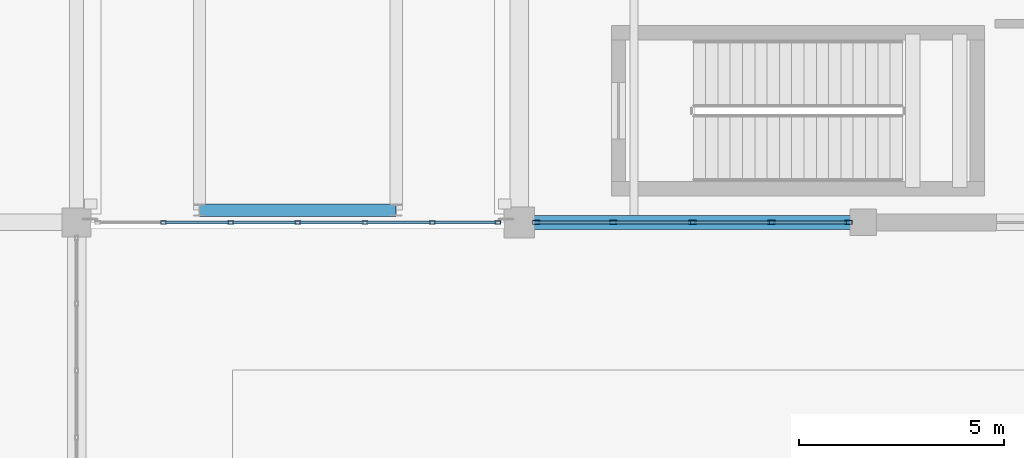
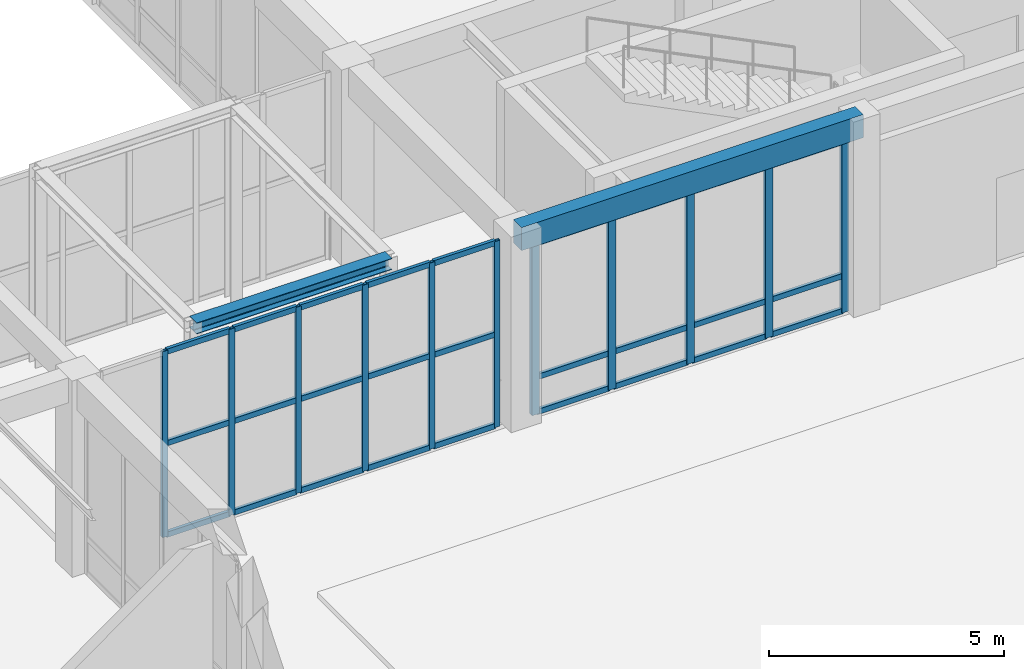
# One storey, part 62 of 169: 38 members, 2 beams, 2 elements without a shape of their own.
"""IFC4 building model written with IfcOpenShell, lengths in metres."""

from ifc_helpers import new_model, si_unit, direction, frame, origin, origin_2d, place, context, subcontext, project, spatial, rectangle, hollow_rectangle, i_section, extrude, material, layer, layer_set, material_profile, profile_set, type_object, element, aggregate, save


model = new_model("IFC4")

# Units and contexts
model_context = context("Model", 3, precision=1e-05, world=origin(), true_north=direction((0.0, 1.0)))
body_context = subcontext(model_context, "Body", "Model", "MODEL_VIEW")
ifc_project = project(units=[si_unit("LENGTHUNIT", "METRE"), si_unit("AREAUNIT", "SQUARE_METRE"), si_unit("VOLUMEUNIT", "CUBIC_METRE"), si_unit("PLANEANGLEUNIT", "RADIAN"), si_unit("MASSUNIT", "GRAM", prefix="KILO")], contexts=[model_context])

# Site, building, storey
site_placement = place(None, origin())
site = spatial("IfcSite", under=ifc_project, at=site_placement, CompositionType="ELEMENT")
building_placement = place(site_placement, origin())
building = spatial("IfcBuilding", under=site, at=building_placement, Name="Mazaris Harbour Polytechnic", CompositionType="ELEMENT")
storey_placement = place(building_placement, origin())
storey = spatial("IfcBuildingStorey", under=building, at=storey_placement, Name="L00", CompositionType="ELEMENT", Elevation=0.0)

# Curtain wall, members
ifc_material_1 = material(Name="Anodised Bronze Aluminium and Low-E Glass", Category="aluminium")
ifc_layer_1 = layer(ifc_material_1, 0.14990234375, Name="Anodised Bronze Aluminium and Low-E Glass")
ifc_layer_set_1 = layer_set([ifc_layer_1], Name="Anodised Bronze Aluminium and Low-E Glass")
curtain_wall_type_1 = type_object("IfcCurtainWallType", Name="Workshop Clerestory Curtain Wall", PredefinedType="NOTDEFINED", material=ifc_layer_set_1)
curtain_wall_1_placement = place(storey_placement, origin())
curtain_wall_1 = element("IfcCurtainWall", 1, at=curtain_wall_1_placement, inside=storey, type_object=curtain_wall_type_1, Name="V1 L00 Curtain Wall 1", PredefinedType="NOTDEFINED")
ifc_material_2 = material(Name="Anodised Bronze Steel S355", Category="steel")
ifc_material_profile_1 = material_profile(ifc_material_2, hollow_rectangle(XDim=0.10009765625, YDim=0.179931640625, WallThickness=0.008056640625, at=origin_2d()), Name="RHS 100x180x8.0")
ifc_profile_set_1 = profile_set([ifc_material_profile_1], Name="Anodised Bronze Steel S355")
member_type_1 = type_object("IfcMemberType", Name="Curtain Mullion RHS100x180", PredefinedType="MULLION", material=ifc_profile_set_1)
member_1_placement = place(storey_placement, frame((62.032958984375, 75.60009765625, 0.0), z_axis=(0.0, 0.0, 1.0), x_axis=(0.0, -1.0, 0.0)))
member_1 = element("IfcMember", 2, at=member_1_placement, type_object=member_type_1, Name="CW-04 mullion 1", PredefinedType="MULLION", context=body_context, shape_type="SweptSolid", body=[
    extrude(hollow_rectangle(XDim=0.10009765625, YDim=0.179931640625, WallThickness=0.008056640625, at=origin_2d()), origin(), (0.0, 0.0, 1.0), 4.469970703125),
])
member_2_placement = place(storey_placement, frame((60.154052734375, 75.60009765625, 0.0), z_axis=(0.0, 0.0, 1.0), x_axis=(0.0, -1.0, 0.0)))
member_2 = element("IfcMember", 3, at=member_2_placement, type_object=member_type_1, Name="CW-04 mullion 2", PredefinedType="MULLION", context=body_context, shape_type="SweptSolid", body=[
    extrude(hollow_rectangle(XDim=0.10009765625, YDim=0.179931640625, WallThickness=0.008056640625, at=origin_2d()), origin(), (0.0, 0.0, 1.0), 4.469970703125),
])
member_3_placement = place(storey_placement, frame((58.22509765625, 75.60009765625, 0.0), z_axis=(0.0, 0.0, 1.0), x_axis=(0.0, -1.0, 0.0)))
member_3 = element("IfcMember", 4, at=member_3_placement, type_object=member_type_1, Name="CW-04 mullion 3", PredefinedType="MULLION", context=body_context, shape_type="SweptSolid", body=[
    extrude(hollow_rectangle(XDim=0.10009765625, YDim=0.179931640625, WallThickness=0.008056640625, at=origin_2d()), origin(), (0.0, 0.0, 1.0), 4.469970703125),
])
member_4_placement = place(storey_placement, frame((56.2958984375, 75.60009765625, 0.0), z_axis=(0.0, 0.0, 1.0), x_axis=(0.0, -1.0, 0.0)))
member_4 = element("IfcMember", 5, at=member_4_placement, type_object=member_type_1, Name="CW-04 mullion 4", PredefinedType="MULLION", context=body_context, shape_type="SweptSolid", body=[
    extrude(hollow_rectangle(XDim=0.10009765625, YDim=0.179931640625, WallThickness=0.008056640625, at=origin_2d()), origin(), (0.0, 0.0, 1.0), 4.469970703125),
])
member_5_placement = place(storey_placement, frame((54.4169921875, 75.60009765625, 0.0), z_axis=(0.0, 0.0, 1.0), x_axis=(0.0, -1.0, 0.0)))
member_5 = element("IfcMember", 6, at=member_5_placement, type_object=member_type_1, Name="CW-04 mullion 5", PredefinedType="MULLION", context=body_context, shape_type="SweptSolid", body=[
    extrude(hollow_rectangle(XDim=0.10009765625, YDim=0.179931640625, WallThickness=0.008056640625, at=origin_2d()), origin(), (0.0, 0.0, 1.0), 4.469970703125),
])

ifc_material_3 = material(Name="Anodised Bronze Aluminium and Low-E Glass", Category="aluminium")
ifc_layer_2 = layer(ifc_material_3, 0.139892578125, Name="Anodised Bronze Aluminium and Low-E Glass")
ifc_layer_set_2 = layer_set([ifc_layer_2], Name="Anodised Bronze Aluminium and Low-E Glass")
curtain_wall_type_2 = type_object("IfcCurtainWallType", Name="Seismic Link Bridge Glazing", PredefinedType="NOTDEFINED", material=ifc_layer_set_2)
curtain_wall_2_placement = place(storey_placement, origin())
curtain_wall_2 = element("IfcCurtainWall", 7, at=curtain_wall_2_placement, inside=storey, type_object=curtain_wall_type_2, Name="PB-W2 L00 Bridge Glazing", PredefinedType="NOTDEFINED")
ifc_material_4 = material(Name="Anodised Bronze Steel S355", Category="steel")
ifc_material_profile_2 = material_profile(ifc_material_4, hollow_rectangle(XDim=0.080078125, YDim=0.139892578125, WallThickness=0.00634765625, at=origin_2d()), Name="RHS 80x140x6.3")
ifc_profile_set_2 = profile_set([ifc_material_profile_2], Name="Anodised Bronze Steel S355")
member_type_2 = type_object("IfcMemberType", Name="Curtain Mullion RHS80x140", PredefinedType="MULLION", material=ifc_profile_set_2)
member_6_placement = place(storey_placement, frame((45.320068359375, 75.60009765625, 0.0), z_axis=(0.0, 0.0, 1.0), x_axis=(0.0, 1.0, 0.0)))
member_6 = element("IfcMember", 8, at=member_6_placement, type_object=member_type_2, Name="CW-05 mullion 2", PredefinedType="MULLION", context=body_context, shape_type="SweptSolid", body=[
    extrude(hollow_rectangle(XDim=0.080078125, YDim=0.139892578125, WallThickness=0.00634765625, at=origin_2d()), origin(), (0.0, 0.0, 1.0), 4.8349609375),
])
member_7_placement = place(storey_placement, frame((46.9599609375, 75.60009765625, 0.0), z_axis=(0.0, 0.0, 1.0), x_axis=(0.0, 1.0, 0.0)))
member_7 = element("IfcMember", 9, at=member_7_placement, type_object=member_type_2, Name="CW-05 mullion 3", PredefinedType="MULLION", context=body_context, shape_type="SweptSolid", body=[
    extrude(hollow_rectangle(XDim=0.080078125, YDim=0.139892578125, WallThickness=0.00634765625, at=origin_2d()), origin(), (0.0, 0.0, 1.0), 4.8349609375),
])
member_8_placement = place(storey_placement, frame((48.60009765625, 75.60009765625, 0.0), z_axis=(0.0, 0.0, 1.0), x_axis=(0.0, 1.0, 0.0)))
member_8 = element("IfcMember", 10, at=member_8_placement, type_object=member_type_2, Name="CW-05 mullion 4", PredefinedType="MULLION", context=body_context, shape_type="SweptSolid", body=[
    extrude(hollow_rectangle(XDim=0.080078125, YDim=0.139892578125, WallThickness=0.00634765625, at=origin_2d()), origin(), (0.0, 0.0, 1.0), 4.8349609375),
])
member_9_placement = place(storey_placement, frame((50.239990234375, 75.60009765625, 0.0), z_axis=(0.0, 0.0, 1.0), x_axis=(0.0, 1.0, 0.0)))
member_9 = element("IfcMember", 11, at=member_9_placement, type_object=member_type_2, Name="CW-05 mullion 5", PredefinedType="MULLION", context=body_context, shape_type="SweptSolid", body=[
    extrude(hollow_rectangle(XDim=0.080078125, YDim=0.139892578125, WallThickness=0.00634765625, at=origin_2d()), origin(), (0.0, 0.0, 1.0), 4.8349609375),
])
member_10_placement = place(storey_placement, frame((51.8798828125, 75.60009765625, 0.0), z_axis=(0.0, 0.0, 1.0), x_axis=(0.0, 1.0, 0.0)))
member_10 = element("IfcMember", 12, at=member_10_placement, type_object=member_type_2, Name="CW-05 mullion 6", PredefinedType="MULLION", context=body_context, shape_type="SweptSolid", body=[
    extrude(hollow_rectangle(XDim=0.080078125, YDim=0.139892578125, WallThickness=0.00634765625, at=origin_2d()), origin(), (0.0, 0.0, 1.0), 4.8349609375),
])
member_11_placement = place(storey_placement, frame((53.47998046875, 75.60009765625, 0.0), z_axis=(0.0, 0.0, 1.0), x_axis=(0.0, 1.0, 0.0)))
member_11 = element("IfcMember", 13, at=member_11_placement, type_object=member_type_2, Name="CW-05 mullion 7", PredefinedType="MULLION", context=body_context, shape_type="SweptSolid", body=[
    extrude(hollow_rectangle(XDim=0.080078125, YDim=0.139892578125, WallThickness=0.00634765625, at=origin_2d()), origin(), (0.0, 0.0, 1.0), 4.8349609375),
])

# Member
ifc_material_5 = material(Name="Anodised Bronze Steel S355", Category="steel")
ifc_material_profile_3 = material_profile(ifc_material_5, hollow_rectangle(XDim=0.080078125, YDim=0.139892578125, WallThickness=0.00634765625, at=origin_2d()), Name="RHS 80x140x6.3")
ifc_profile_set_3 = profile_set([ifc_material_profile_3], Name="Anodised Bronze Steel S355")
member_type_3 = type_object("IfcMemberType", Name="Curtain Transom RHS80x140", PredefinedType="USERDEFINED", material=ifc_profile_set_3)
member_12_placement = place(storey_placement, frame((61.98291015625, 75.60009765625, 0.0400390625), z_axis=(-1.0, 0.0, 0.0), x_axis=(0.0, -1.0, 0.0)))
member_12 = element("IfcMember", 14, at=member_12_placement, type_object=member_type_3, Name="CW-04 transom 1.1", ObjectType="TRANSOM", PredefinedType="USERDEFINED", context=body_context, shape_type="SweptSolid", body=[
    extrude(hollow_rectangle(XDim=0.080078125, YDim=0.139892578125, WallThickness=0.00634765625, at=origin_2d()), origin(), (0.0, 0.0, 1.0), 1.77880859375),
])

member_13_placement = place(storey_placement, frame((61.98291015625, 75.60009765625, 0.949951171875), z_axis=(-1.0, 0.0, 0.0), x_axis=(0.0, -1.0, 0.0)))
member_13 = element("IfcMember", 15, at=member_13_placement, type_object=member_type_3, Name="CW-04 transom 1.2", ObjectType="TRANSOM", PredefinedType="USERDEFINED", context=body_context, shape_type="SweptSolid", body=[
    extrude(hollow_rectangle(XDim=0.080078125, YDim=0.139892578125, WallThickness=0.00634765625, at=origin_2d()), origin(), (0.0, 0.0, 1.0), 1.77880859375),
])

member_14_placement = place(storey_placement, frame((61.98291015625, 75.60009765625, 4.429931640625), z_axis=(-1.0, 0.0, 0.0), x_axis=(0.0, -1.0, 0.0)))
member_14 = element("IfcMember", 16, at=member_14_placement, type_object=member_type_3, Name="CW-04 transom 1.3", ObjectType="TRANSOM", PredefinedType="USERDEFINED", context=body_context, shape_type="SweptSolid", body=[
    extrude(hollow_rectangle(XDim=0.080078125, YDim=0.139892578125, WallThickness=0.00634765625, at=origin_2d()), origin(), (0.0, 0.0, 1.0), 1.77880859375),
])

member_15_placement = place(storey_placement, frame((60.10400390625, 75.60009765625, 0.0400390625), z_axis=(-1.0, 0.0, 0.0), x_axis=(0.0, -1.0, 0.0)))
member_15 = element("IfcMember", 17, at=member_15_placement, type_object=member_type_3, Name="CW-04 transom 2.1", ObjectType="TRANSOM", PredefinedType="USERDEFINED", context=body_context, shape_type="SweptSolid", body=[
    extrude(hollow_rectangle(XDim=0.080078125, YDim=0.139892578125, WallThickness=0.00634765625, at=origin_2d()), origin(), (0.0, 0.0, 1.0), 1.8291015625),
])

member_16_placement = place(storey_placement, frame((60.10400390625, 75.60009765625, 0.949951171875), z_axis=(-1.0, 0.0, 0.0), x_axis=(0.0, -1.0, 0.0)))
member_16 = element("IfcMember", 18, at=member_16_placement, type_object=member_type_3, Name="CW-04 transom 2.2", ObjectType="TRANSOM", PredefinedType="USERDEFINED", context=body_context, shape_type="SweptSolid", body=[
    extrude(hollow_rectangle(XDim=0.080078125, YDim=0.139892578125, WallThickness=0.00634765625, at=origin_2d()), origin(), (0.0, 0.0, 1.0), 1.8291015625),
])

member_17_placement = place(storey_placement, frame((60.10400390625, 75.60009765625, 4.429931640625), z_axis=(-1.0, 0.0, 0.0), x_axis=(0.0, -1.0, 0.0)))
member_17 = element("IfcMember", 19, at=member_17_placement, type_object=member_type_3, Name="CW-04 transom 2.3", ObjectType="TRANSOM", PredefinedType="USERDEFINED", context=body_context, shape_type="SweptSolid", body=[
    extrude(hollow_rectangle(XDim=0.080078125, YDim=0.139892578125, WallThickness=0.00634765625, at=origin_2d()), origin(), (0.0, 0.0, 1.0), 1.8291015625),
])

member_18_placement = place(storey_placement, frame((58.175048828125, 75.60009765625, 0.0400390625), z_axis=(-1.0, 0.0, 0.0), x_axis=(0.0, -1.0, 0.0)))
member_18 = element("IfcMember", 20, at=member_18_placement, type_object=member_type_3, Name="CW-04 transom 3.1", ObjectType="TRANSOM", PredefinedType="USERDEFINED", context=body_context, shape_type="SweptSolid", body=[
    extrude(hollow_rectangle(XDim=0.080078125, YDim=0.139892578125, WallThickness=0.00634765625, at=origin_2d()), origin(), (0.0, 0.0, 1.0), 1.8291015625),
])

member_19_placement = place(storey_placement, frame((58.175048828125, 75.60009765625, 0.949951171875), z_axis=(-1.0, 0.0, 0.0), x_axis=(0.0, -1.0, 0.0)))
member_19 = element("IfcMember", 21, at=member_19_placement, type_object=member_type_3, Name="CW-04 transom 3.2", ObjectType="TRANSOM", PredefinedType="USERDEFINED", context=body_context, shape_type="SweptSolid", body=[
    extrude(hollow_rectangle(XDim=0.080078125, YDim=0.139892578125, WallThickness=0.00634765625, at=origin_2d()), origin(), (0.0, 0.0, 1.0), 1.8291015625),
])

member_20_placement = place(storey_placement, frame((58.175048828125, 75.60009765625, 4.429931640625), z_axis=(-1.0, 0.0, 0.0), x_axis=(0.0, -1.0, 0.0)))
member_20 = element("IfcMember", 22, at=member_20_placement, type_object=member_type_3, Name="CW-04 transom 3.3", ObjectType="TRANSOM", PredefinedType="USERDEFINED", context=body_context, shape_type="SweptSolid", body=[
    extrude(hollow_rectangle(XDim=0.080078125, YDim=0.139892578125, WallThickness=0.00634765625, at=origin_2d()), origin(), (0.0, 0.0, 1.0), 1.8291015625),
])

member_21_placement = place(storey_placement, frame((56.24609375, 75.60009765625, 0.0400390625), z_axis=(-1.0, 0.0, 0.0), x_axis=(0.0, -1.0, 0.0)))
member_21 = element("IfcMember", 23, at=member_21_placement, type_object=member_type_3, Name="CW-04 transom 4.1", ObjectType="TRANSOM", PredefinedType="USERDEFINED", context=body_context, shape_type="SweptSolid", body=[
    extrude(hollow_rectangle(XDim=0.080078125, YDim=0.139892578125, WallThickness=0.00634765625, at=origin_2d()), origin(), (0.0, 0.0, 1.0), 1.779052734375),
])

member_22_placement = place(storey_placement, frame((56.24609375, 75.60009765625, 0.949951171875), z_axis=(-1.0, 0.0, 0.0), x_axis=(0.0, -1.0, 0.0)))
member_22 = element("IfcMember", 24, at=member_22_placement, type_object=member_type_3, Name="CW-04 transom 4.2", ObjectType="TRANSOM", PredefinedType="USERDEFINED", context=body_context, shape_type="SweptSolid", body=[
    extrude(hollow_rectangle(XDim=0.080078125, YDim=0.139892578125, WallThickness=0.00634765625, at=origin_2d()), origin(), (0.0, 0.0, 1.0), 1.779052734375),
])

member_23_placement = place(storey_placement, frame((56.24609375, 75.60009765625, 4.429931640625), z_axis=(-1.0, 0.0, 0.0), x_axis=(0.0, -1.0, 0.0)))
member_23 = element("IfcMember", 25, at=member_23_placement, type_object=member_type_3, Name="CW-04 transom 4.3", ObjectType="TRANSOM", PredefinedType="USERDEFINED", context=body_context, shape_type="SweptSolid", body=[
    extrude(hollow_rectangle(XDim=0.080078125, YDim=0.139892578125, WallThickness=0.00634765625, at=origin_2d()), origin(), (0.0, 0.0, 1.0), 1.779052734375),
])

aggregate(curtain_wall_1, [member_1, member_2, member_3, member_4, member_5, member_12, member_13, member_14, member_15, member_16, member_17, member_18, member_19, member_20, member_21, member_22, member_23])

member_24_placement = place(storey_placement, frame((45.360107421875, 75.60009765625, 0.0400390625), z_axis=(1.0, 0.0, 0.0), x_axis=(0.0, 1.0, 0.0)))
member_24 = element("IfcMember", 26, at=member_24_placement, type_object=member_type_3, Name="CW-05 transom 2.1", ObjectType="TRANSOM", PredefinedType="USERDEFINED", context=body_context, shape_type="SweptSolid", body=[
    extrude(hollow_rectangle(XDim=0.080078125, YDim=0.139892578125, WallThickness=0.00634765625, at=origin_2d()), origin(), (0.0, 0.0, 1.0), 1.559814453125),
])

member_25_placement = place(storey_placement, frame((45.360107421875, 75.60009765625, 2.41748046875), z_axis=(1.0, 0.0, 0.0), x_axis=(0.0, 1.0, 0.0)))
member_25 = element("IfcMember", 27, at=member_25_placement, type_object=member_type_3, Name="CW-05 transom 2.2", ObjectType="TRANSOM", PredefinedType="USERDEFINED", context=body_context, shape_type="SweptSolid", body=[
    extrude(hollow_rectangle(XDim=0.080078125, YDim=0.139892578125, WallThickness=0.00634765625, at=origin_2d()), origin(), (0.0, 0.0, 1.0), 1.559814453125),
])

member_26_placement = place(storey_placement, frame((45.360107421875, 75.60009765625, 4.794921875), z_axis=(1.0, 0.0, 0.0), x_axis=(0.0, 1.0, 0.0)))
member_26 = element("IfcMember", 28, at=member_26_placement, type_object=member_type_3, Name="CW-05 transom 2.3", ObjectType="TRANSOM", PredefinedType="USERDEFINED", context=body_context, shape_type="SweptSolid", body=[
    extrude(hollow_rectangle(XDim=0.080078125, YDim=0.139892578125, WallThickness=0.00634765625, at=origin_2d()), origin(), (0.0, 0.0, 1.0), 1.559814453125),
])

member_27_placement = place(storey_placement, frame((47.0, 75.60009765625, 0.0400390625), z_axis=(1.0, 0.0, 0.0), x_axis=(0.0, 1.0, 0.0)))
member_27 = element("IfcMember", 29, at=member_27_placement, type_object=member_type_3, Name="CW-05 transom 3.1", ObjectType="TRANSOM", PredefinedType="USERDEFINED", context=body_context, shape_type="SweptSolid", body=[
    extrude(hollow_rectangle(XDim=0.080078125, YDim=0.139892578125, WallThickness=0.00634765625, at=origin_2d()), origin(), (0.0, 0.0, 1.0), 1.56005859375),
])

member_28_placement = place(storey_placement, frame((47.0, 75.60009765625, 2.41748046875), z_axis=(1.0, 0.0, 0.0), x_axis=(0.0, 1.0, 0.0)))
member_28 = element("IfcMember", 30, at=member_28_placement, type_object=member_type_3, Name="CW-05 transom 3.2", ObjectType="TRANSOM", PredefinedType="USERDEFINED", context=body_context, shape_type="SweptSolid", body=[
    extrude(hollow_rectangle(XDim=0.080078125, YDim=0.139892578125, WallThickness=0.00634765625, at=origin_2d()), origin(), (0.0, 0.0, 1.0), 1.56005859375),
])

member_29_placement = place(storey_placement, frame((47.0, 75.60009765625, 4.794921875), z_axis=(1.0, 0.0, 0.0), x_axis=(0.0, 1.0, 0.0)))
member_29 = element("IfcMember", 31, at=member_29_placement, type_object=member_type_3, Name="CW-05 transom 3.3", ObjectType="TRANSOM", PredefinedType="USERDEFINED", context=body_context, shape_type="SweptSolid", body=[
    extrude(hollow_rectangle(XDim=0.080078125, YDim=0.139892578125, WallThickness=0.00634765625, at=origin_2d()), origin(), (0.0, 0.0, 1.0), 1.56005859375),
])

member_30_placement = place(storey_placement, frame((48.639892578125, 75.60009765625, 0.0400390625), z_axis=(1.0, 0.0, 0.0), x_axis=(0.0, 1.0, 0.0)))
member_30 = element("IfcMember", 32, at=member_30_placement, type_object=member_type_3, Name="CW-05 transom 4.1", ObjectType="TRANSOM", PredefinedType="USERDEFINED", context=body_context, shape_type="SweptSolid", body=[
    extrude(hollow_rectangle(XDim=0.080078125, YDim=0.139892578125, WallThickness=0.00634765625, at=origin_2d()), origin(), (0.0, 0.0, 1.0), 1.56005859375),
])

member_31_placement = place(storey_placement, frame((48.639892578125, 75.60009765625, 2.41748046875), z_axis=(1.0, 0.0, 0.0), x_axis=(0.0, 1.0, 0.0)))
member_31 = element("IfcMember", 33, at=member_31_placement, type_object=member_type_3, Name="CW-05 transom 4.2", ObjectType="TRANSOM", PredefinedType="USERDEFINED", context=body_context, shape_type="SweptSolid", body=[
    extrude(hollow_rectangle(XDim=0.080078125, YDim=0.139892578125, WallThickness=0.00634765625, at=origin_2d()), origin(), (0.0, 0.0, 1.0), 1.56005859375),
])

member_32_placement = place(storey_placement, frame((48.639892578125, 75.60009765625, 4.794921875), z_axis=(1.0, 0.0, 0.0), x_axis=(0.0, 1.0, 0.0)))
member_32 = element("IfcMember", 34, at=member_32_placement, type_object=member_type_3, Name="CW-05 transom 4.3", ObjectType="TRANSOM", PredefinedType="USERDEFINED", context=body_context, shape_type="SweptSolid", body=[
    extrude(hollow_rectangle(XDim=0.080078125, YDim=0.139892578125, WallThickness=0.00634765625, at=origin_2d()), origin(), (0.0, 0.0, 1.0), 1.56005859375),
])

member_33_placement = place(storey_placement, frame((50.280029296875, 75.60009765625, 0.0400390625), z_axis=(1.0, 0.0, 0.0), x_axis=(0.0, 1.0, 0.0)))
member_33 = element("IfcMember", 35, at=member_33_placement, type_object=member_type_3, Name="CW-05 transom 5.1", ObjectType="TRANSOM", PredefinedType="USERDEFINED", context=body_context, shape_type="SweptSolid", body=[
    extrude(hollow_rectangle(XDim=0.080078125, YDim=0.139892578125, WallThickness=0.00634765625, at=origin_2d()), origin(), (0.0, 0.0, 1.0), 1.56005859375),
])

member_34_placement = place(storey_placement, frame((50.280029296875, 75.60009765625, 2.41748046875), z_axis=(1.0, 0.0, 0.0), x_axis=(0.0, 1.0, 0.0)))
member_34 = element("IfcMember", 36, at=member_34_placement, type_object=member_type_3, Name="CW-05 transom 5.2", ObjectType="TRANSOM", PredefinedType="USERDEFINED", context=body_context, shape_type="SweptSolid", body=[
    extrude(hollow_rectangle(XDim=0.080078125, YDim=0.139892578125, WallThickness=0.00634765625, at=origin_2d()), origin(), (0.0, 0.0, 1.0), 1.56005859375),
])

member_35_placement = place(storey_placement, frame((50.280029296875, 75.60009765625, 4.794921875), z_axis=(1.0, 0.0, 0.0), x_axis=(0.0, 1.0, 0.0)))
member_35 = element("IfcMember", 37, at=member_35_placement, type_object=member_type_3, Name="CW-05 transom 5.3", ObjectType="TRANSOM", PredefinedType="USERDEFINED", context=body_context, shape_type="SweptSolid", body=[
    extrude(hollow_rectangle(XDim=0.080078125, YDim=0.139892578125, WallThickness=0.00634765625, at=origin_2d()), origin(), (0.0, 0.0, 1.0), 1.56005859375),
])

member_36_placement = place(storey_placement, frame((51.919921875, 75.60009765625, 0.0400390625), z_axis=(1.0, 0.0, 0.0), x_axis=(0.0, 1.0, 0.0)))
member_36 = element("IfcMember", 38, at=member_36_placement, type_object=member_type_3, Name="CW-05 transom 6.1", ObjectType="TRANSOM", PredefinedType="USERDEFINED", context=body_context, shape_type="SweptSolid", body=[
    extrude(hollow_rectangle(XDim=0.080078125, YDim=0.139892578125, WallThickness=0.00634765625, at=origin_2d()), origin(), (0.0, 0.0, 1.0), 1.52001953125),
])

member_37_placement = place(storey_placement, frame((51.919921875, 75.60009765625, 2.41748046875), z_axis=(1.0, 0.0, 0.0), x_axis=(0.0, 1.0, 0.0)))
member_37 = element("IfcMember", 39, at=member_37_placement, type_object=member_type_3, Name="CW-05 transom 6.2", ObjectType="TRANSOM", PredefinedType="USERDEFINED", context=body_context, shape_type="SweptSolid", body=[
    extrude(hollow_rectangle(XDim=0.080078125, YDim=0.139892578125, WallThickness=0.00634765625, at=origin_2d()), origin(), (0.0, 0.0, 1.0), 1.52001953125),
])

member_38_placement = place(storey_placement, frame((51.919921875, 75.60009765625, 4.794921875), z_axis=(1.0, 0.0, 0.0), x_axis=(0.0, 1.0, 0.0)))
member_38 = element("IfcMember", 40, at=member_38_placement, type_object=member_type_3, Name="CW-05 transom 6.3", ObjectType="TRANSOM", PredefinedType="USERDEFINED", context=body_context, shape_type="SweptSolid", body=[
    extrude(hollow_rectangle(XDim=0.080078125, YDim=0.139892578125, WallThickness=0.00634765625, at=origin_2d()), origin(), (0.0, 0.0, 1.0), 1.52001953125),
])

aggregate(curtain_wall_2, [member_6, member_7, member_8, member_9, member_10, member_11, member_24, member_25, member_26, member_27, member_28, member_29, member_30, member_31, member_32, member_33, member_34, member_35, member_36, member_37, member_38])

# Beams
ifc_material_6 = material(Name="Concrete C35/45", Category="concrete")
ifc_material_profile_4 = material_profile(ifc_material_6, rectangle(XDim=0.35009765625, YDim=0.60009765625, at=origin_2d()), Name="RECT350x600")
ifc_profile_set_4 = profile_set([ifc_material_profile_4], Name="Concrete C35/45")
beam_type_1 = type_object("IfcBeamType", Name="RC Girder 350x600 Exterior", PredefinedType="BEAM", material=ifc_profile_set_4)
beam_1_placement = place(storey_placement, frame((54.0, 75.60009765625, 4.780029296875), z_axis=(1.0, 0.0, 0.0), x_axis=(0.0, 1.0, 0.0)))
element("IfcBeam", 41, at=beam_1_placement, inside=storey, type_object=beam_type_1, Name="V1 L00 Girder 175", PredefinedType="BEAM", context=body_context, shape_type="SweptSolid", body=[
    extrude(rectangle(XDim=0.35009765625, YDim=0.60009765625, at=origin_2d()), origin(), (0.0, 0.0, 1.0), 8.39990234375),
])
ifc_material_7 = material(Name="Steel S355", Category="steel")
ifc_material_profile_5 = material_profile(ifc_material_7, i_section(OverallWidth=0.300048828125, OverallDepth=0.2900390625, WebThickness=0.008544921875, FlangeThickness=0.013916015625, FilletRadius=0.027099609375, at=origin_2d()), Name="HEA 300")
ifc_profile_set_5 = profile_set([ifc_material_profile_5], Name="Steel S355")
beam_type_2 = type_object("IfcBeamType", Name="Steel Beam HEA300 Exterior", PredefinedType="SPANDREL", material=ifc_profile_set_5)
beam_2_placement = place(storey_placement, frame((46.199951171875, 75.89990234375, 4.989990234375), z_axis=(1.0, 0.0, 0.0), x_axis=(0.0, 1.0, 0.0)))
element("IfcBeam", 42, at=beam_2_placement, inside=storey, type_object=beam_type_2, Name="PB-W2 L00 Bridge Beam 3423", PredefinedType="SPANDREL", context=body_context, shape_type="SweptSolid", body=[
    extrude(i_section(OverallWidth=0.300048828125, OverallDepth=0.2900390625, WebThickness=0.008544921875, FlangeThickness=0.013916015625, FilletRadius=0.027099609375, at=origin_2d()), origin(), (0.0, 0.0, 1.0), 4.800048828125),
])

save(model, "model.ifc")
